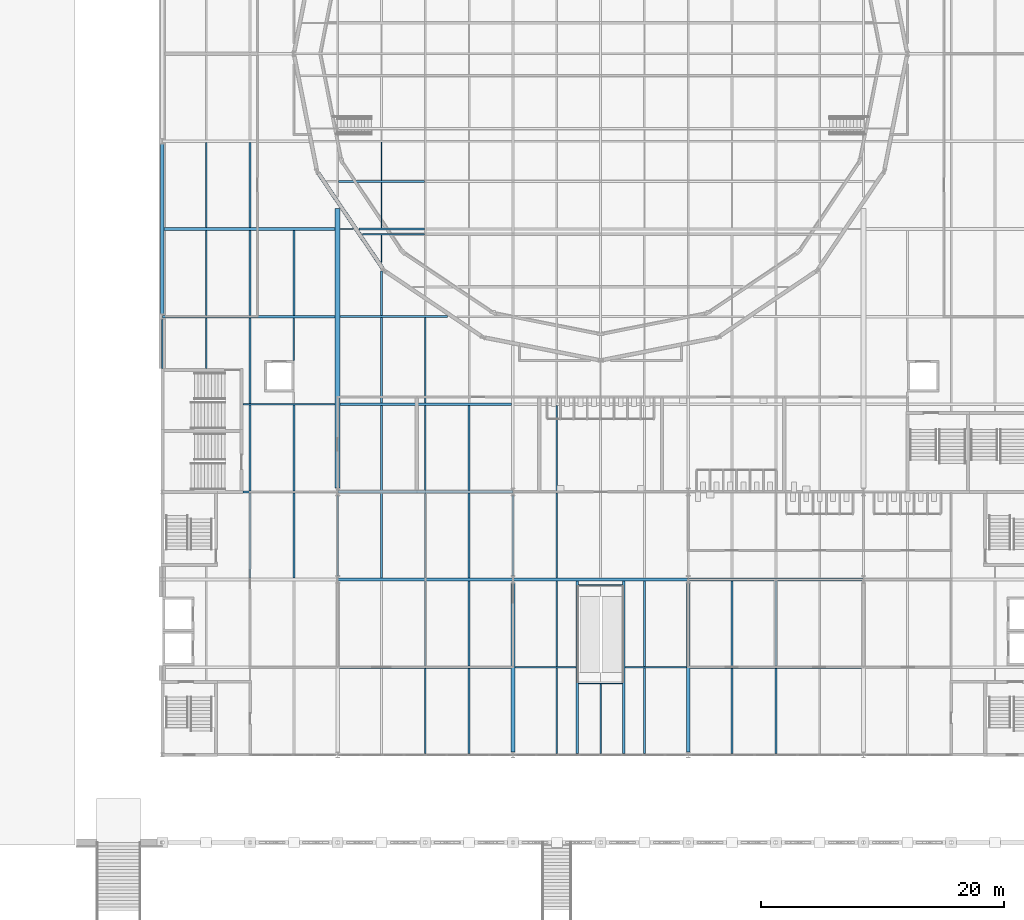
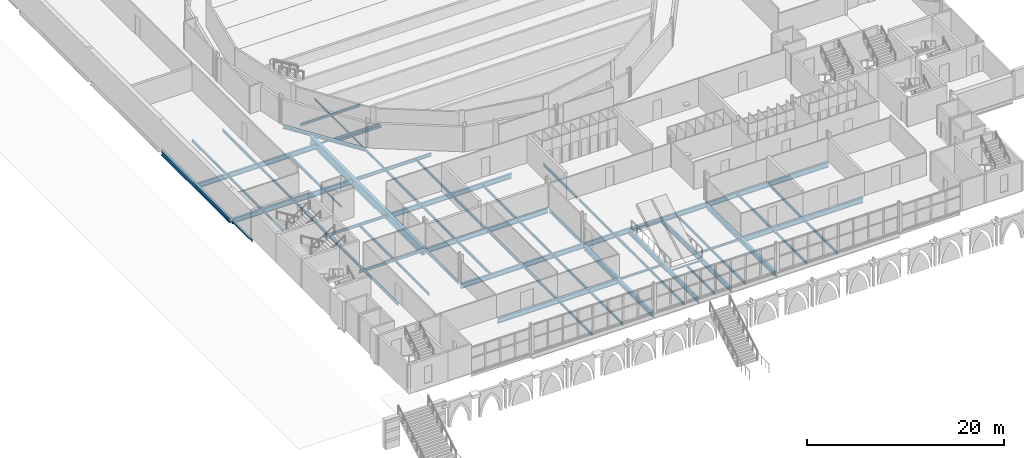
# One storey, part 29 of 90: 69 beams.
"""IFC4 building model written with IfcOpenShell, lengths in metres."""

from ifc_helpers import new_model, si_unit, direction, frame, origin, origin_2d, place, context, subcontext, project, spatial, i_section, extrude, material, material_profile, profile_set, type_object, element, save


model = new_model("IFC4")

# Units and contexts
model_context = context("Model", 3, precision=1e-05, world=origin(), true_north=direction((0.0, 1.0)))
body_context = subcontext(model_context, "Body", "Model", "MODEL_VIEW")
ifc_project = project(units=[si_unit("LENGTHUNIT", "METRE"), si_unit("AREAUNIT", "SQUARE_METRE"), si_unit("VOLUMEUNIT", "CUBIC_METRE"), si_unit("PLANEANGLEUNIT", "RADIAN"), si_unit("MASSUNIT", "GRAM", prefix="KILO")], contexts=[model_context])

# Site, building, storey
site_placement = place(None, origin())
site = spatial("IfcSite", under=ifc_project, at=site_placement, CompositionType="ELEMENT")
building_placement = place(site_placement, origin())
building = spatial("IfcBuilding", under=site, at=building_placement, Name="Kupolbacken Congress Centre", CompositionType="ELEMENT")
storey_placement = place(building_placement, frame((0.0, 0.0, 3.60009765625)))
storey = spatial("IfcBuildingStorey", under=building, at=storey_placement, Name="L01", CompositionType="ELEMENT", Elevation=3.60009765625)

# Beams
ifc_material_1 = material(Name="Steel S355", Category="steel")
ifc_material_profile_1 = material_profile(ifc_material_1, i_section(OverallWidth=0.10009765625, OverallDepth=0.199951171875, WebThickness=0.005615234375, FlangeThickness=0.008544921875, FilletRadius=0.011962890625, at=origin_2d()), Name="IPE 200")
ifc_profile_set_1 = profile_set([ifc_material_profile_1], Name="Steel S355")
beam_type_1 = type_object("IfcBeamType", Name="B01 beam IPE 200", PredefinedType="BEAM", material=ifc_profile_set_1)
for number, where, z_axis, x_axis, name in (
    (1, (41.39990234375, 34.65234375, -0.280029296875), (1.0, 0.0, 0.0), (0.0, 1.0, 0.0), "S/floor/F/L01/T032"),
    (2, (41.39990234375, 42.747802734375, -0.280029296875), (1.0, 0.0, 0.0), (0.0, 1.0, 0.0), "S/floor/F/L01/T033"),
):
    element("IfcBeam", number, at=place(storey_placement, frame(where, z_axis=z_axis, x_axis=x_axis)), inside=storey, type_object=beam_type_1, Name=name, PredefinedType="BEAM", context=body_context, shape_type="SweptSolid", body=[
        extrude(i_section(OverallWidth=0.10009765625, OverallDepth=0.199951171875, WebThickness=0.005615234375, FlangeThickness=0.008544921875, FilletRadius=0.011962890625, at=origin_2d()), origin(), (0.0, 0.0, 1.0), 3.60009765625),
    ])
beam_1_placement = place(storey_placement, frame((21.800048828125, 72.0, -0.2900390625), z_axis=(1.0, 0.0, 0.0), x_axis=(0.0, 1.0, 0.0)))
element("IfcBeam", 3, at=beam_1_placement, inside=storey, type_object=beam_type_1, Name="S/floor/P/L01/R048", PredefinedType="BEAM", context=body_context, shape_type="SweptSolid", body=[
    extrude(i_section(OverallWidth=0.10009765625, OverallDepth=0.199951171875, WebThickness=0.005615234375, FlangeThickness=0.008544921875, FilletRadius=0.011962890625, at=origin_2d()), origin(), (0.0, 0.0, 1.0), 1.0908203125),
])
beam_2_placement = place(storey_placement, frame((18.0, 61.199951171875, -0.2900390625), z_axis=(0.0, 1.0, 0.0), x_axis=(-1.0, 0.0, 0.0)))
element("IfcBeam", 4, at=beam_2_placement, inside=storey, type_object=beam_type_1, Name="S/floor/P/L01/S163", PredefinedType="BEAM", context=body_context, shape_type="SweptSolid", body=[
    extrude(i_section(OverallWidth=0.10009765625, OverallDepth=0.199951171875, WebThickness=0.005615234375, FlangeThickness=0.008544921875, FilletRadius=0.011962890625, at=origin_2d()), origin(), (0.0, 0.0, 1.0), 3.489990234375),
])
beam_3_placement = place(storey_placement, frame((25.199951171875, 69.238525390625, -0.2900390625), z_axis=(0.0, 1.0, 0.0), x_axis=(-1.0, 0.0, 0.0)))
element("IfcBeam", 5, at=beam_3_placement, inside=storey, type_object=beam_type_1, Name="S/floor/PL/L01/S104", PredefinedType="BEAM", context=body_context, shape_type="SweptSolid", body=[
    extrude(i_section(OverallWidth=0.10009765625, OverallDepth=0.199951171875, WebThickness=0.005615234375, FlangeThickness=0.008544921875, FilletRadius=0.011962890625, at=origin_2d()), origin(), (0.0, 0.0, 1.0), 2.26904296875),
])
beam_4_placement = place(storey_placement, frame((25.199951171875, 72.0673828125, -0.2900390625), z_axis=(0.0, 1.0, 0.0), x_axis=(-1.0, 0.0, 0.0)))
element("IfcBeam", 6, at=beam_4_placement, inside=storey, type_object=beam_type_1, Name="S/floor/PL/L01/S105", PredefinedType="BEAM", context=body_context, shape_type="SweptSolid", body=[
    extrude(i_section(OverallWidth=0.10009765625, OverallDepth=0.199951171875, WebThickness=0.005615234375, FlangeThickness=0.008544921875, FilletRadius=0.011962890625, at=origin_2d()), origin(), (0.0, 0.0, 1.0), 3.76953125),
])
beam_5_placement = place(storey_placement, frame((25.199951171875, 75.987060546875, -0.2900390625), z_axis=(0.0, 1.0, 0.0), x_axis=(-1.0, 0.0, 0.0)))
element("IfcBeam", 7, at=beam_5_placement, inside=storey, type_object=beam_type_1, Name="S/floor/PL/L01/S106", PredefinedType="BEAM", context=body_context, shape_type="SweptSolid", body=[
    extrude(i_section(OverallWidth=0.10009765625, OverallDepth=0.199951171875, WebThickness=0.005615234375, FlangeThickness=0.008544921875, FilletRadius=0.011962890625, at=origin_2d()), origin(), (0.0, 0.0, 1.0), 3.137939453125),
])
ifc_material_2 = material(Name="Steel S355", Category="steel")
ifc_material_profile_2 = material_profile(ifc_material_2, i_section(OverallWidth=0.135009765625, OverallDepth=0.27001953125, WebThickness=0.006591796875, FlangeThickness=0.01025390625, FilletRadius=0.014892578125, at=origin_2d()), Name="IPE 270")
ifc_profile_set_2 = profile_set([ifc_material_profile_2], Name="Steel S355")
beam_type_2 = type_object("IfcBeamType", Name="B03 beam IPE 270", PredefinedType="BEAM", material=ifc_profile_set_2)
for number, where, z_axis, x_axis, name in (
    (8, (36.14990234375, 36.0, -0.315185546875), (1.0, 0.0, 0.0), (0.0, 1.0, 0.0), "S/floor/F/L01/R036"),
    (9, (45.219970703125, 36.0, -0.315185546875), (1.0, 0.0, 0.0), (0.0, 1.0, 0.0), "S/floor/F/L01/R037"),
):
    element("IfcBeam", number, at=place(storey_placement, frame(where, z_axis=z_axis, x_axis=x_axis)), inside=storey, type_object=beam_type_2, Name=name, PredefinedType="BEAM", context=body_context, shape_type="SweptSolid", body=[
        extrude(i_section(OverallWidth=0.135009765625, OverallDepth=0.27001953125, WebThickness=0.006591796875, FlangeThickness=0.01025390625, FilletRadius=0.014892578125, at=origin_2d()), origin(), (0.0, 0.0, 1.0), 5.030029296875),
    ])
beam_6_placement = place(storey_placement, frame((43.199951171875, 28.909912109375, -0.315185546875), z_axis=(0.0, 1.0, 0.0), x_axis=(-1.0, 0.0, 0.0)))
element("IfcBeam", 10, at=beam_6_placement, inside=storey, type_object=beam_type_2, Name="S/floor/F/L01/S061", PredefinedType="BEAM", context=body_context, shape_type="SweptSolid", body=[
    extrude(i_section(OverallWidth=0.135009765625, OverallDepth=0.27001953125, WebThickness=0.006591796875, FlangeThickness=0.01025390625, FilletRadius=0.014892578125, at=origin_2d()), origin(), (0.0, 0.0, 1.0), 5.6923828125),
])
beam_7_placement = place(storey_placement, frame((7.199951171875, 60.52490234375, -0.3251953125), z_axis=(0.0, 1.0, 0.0), x_axis=(-1.0, 0.0, 0.0)))
element("IfcBeam", 11, at=beam_7_placement, inside=storey, type_object=beam_type_2, Name="S/floor/P/L01/G017", PredefinedType="BEAM", context=body_context, shape_type="SweptSolid", body=[
    extrude(i_section(OverallWidth=0.135009765625, OverallDepth=0.27001953125, WebThickness=0.006591796875, FlangeThickness=0.01025390625, FilletRadius=0.014892578125, at=origin_2d()), origin(), (0.0, 0.0, 1.0), 4.050048828125),
])
beam_8_placement = place(storey_placement, frame((10.800048828125, 60.52490234375, -0.3251953125), z_axis=(0.0, 1.0, 0.0), x_axis=(-1.0, 0.0, 0.0)))
element("IfcBeam", 12, at=beam_8_placement, inside=storey, type_object=beam_type_2, Name="S/floor/P/L01/S076", PredefinedType="BEAM", context=body_context, shape_type="SweptSolid", body=[
    extrude(i_section(OverallWidth=0.135009765625, OverallDepth=0.27001953125, WebThickness=0.006591796875, FlangeThickness=0.01025390625, FilletRadius=0.014892578125, at=origin_2d()), origin(), (0.0, 0.0, 1.0), 4.1650390625),
])
beam_9_placement = place(storey_placement, frame((25.199951171875, 64.889892578125, -0.3251953125), z_axis=(0.0, 1.0, 0.0), x_axis=(-1.0, 0.0, 0.0)))
element("IfcBeam", 13, at=beam_9_placement, inside=storey, type_object=beam_type_2, Name="S/floor/P/L01/S098", PredefinedType="BEAM", context=body_context, shape_type="SweptSolid", body=[
    extrude(i_section(OverallWidth=0.135009765625, OverallDepth=0.27001953125, WebThickness=0.006591796875, FlangeThickness=0.01025390625, FilletRadius=0.014892578125, at=origin_2d()), origin(), (0.0, 0.0, 1.0), 3.63818359375),
])
beam_10_placement = place(storey_placement, frame((23.33203125, 72.0, -0.3251953125), z_axis=(1.0, 0.0, 0.0), x_axis=(0.0, 1.0, 0.0)))
element("IfcBeam", 14, at=beam_10_placement, inside=storey, type_object=beam_type_2, Name="S/floor/PL/L01/R012", PredefinedType="BEAM", context=body_context, shape_type="SweptSolid", body=[
    extrude(i_section(OverallWidth=0.135009765625, OverallDepth=0.27001953125, WebThickness=0.006591796875, FlangeThickness=0.01025390625, FilletRadius=0.014892578125, at=origin_2d()), origin(), (0.0, 0.0, 1.0), 5.39306640625),
])
beam_11_placement = place(storey_placement, frame((23.618896484375, 71.574951171875, -0.3251953125), z_axis=(1.0, 0.0, 0.0), x_axis=(0.0, 1.0, 0.0)))
element("IfcBeam", 15, at=beam_11_placement, inside=storey, type_object=beam_type_2, Name="S/floor/PL/L01/R092", PredefinedType="BEAM", context=body_context, shape_type="SweptSolid", body=[
    extrude(i_section(OverallWidth=0.135009765625, OverallDepth=0.27001953125, WebThickness=0.006591796875, FlangeThickness=0.01025390625, FilletRadius=0.014892578125, at=origin_2d()), origin(), (0.0, 0.0, 1.0), 5.106201171875),
])
ifc_material_3 = material(Name="Steel S355", Category="steel")
ifc_material_profile_3 = material_profile(ifc_material_3, i_section(OverallWidth=0.14990234375, OverallDepth=0.300048828125, WebThickness=0.007080078125, FlangeThickness=0.0107421875, FilletRadius=0.014892578125, at=origin_2d()), Name="IPE 300")
ifc_profile_set_3 = profile_set([ifc_material_profile_3], Name="Steel S355")
beam_type_3 = type_object("IfcBeamType", Name="B04 beam IPE 300", PredefinedType="BEAM", material=ifc_profile_set_3)
for number, where, z_axis, x_axis, name in (
    (16, (21.60009765625, 43.5, -0.330078125), (0.0, 1.0, 0.0), (-1.0, 0.0, 0.0), "S/floor/F/L01/G005"),
    (17, (36.0, 43.5, -0.330078125), (0.0, 1.0, 0.0), (-1.0, 0.0, 0.0), "S/floor/F/L01/G007"),
):
    element("IfcBeam", number, at=place(storey_placement, frame(where, z_axis=z_axis, x_axis=x_axis)), inside=storey, type_object=beam_type_3, Name=name, PredefinedType="BEAM", context=body_context, shape_type="SweptSolid", body=[
        extrude(i_section(OverallWidth=0.14990234375, OverallDepth=0.300048828125, WebThickness=0.007080078125, FlangeThickness=0.0107421875, FilletRadius=0.014892578125, at=origin_2d()), origin(), (0.0, 0.0, 1.0), 6.60009765625),
    ])
for number, where, z_axis, x_axis, name in (
    (18, (14.39990234375, 43.31005859375, -0.330078125), (0.0, 1.0, 0.0), (-1.0, 0.0, 0.0), "S/floor/F/L01/S045"),
    (19, (18.0, 43.31005859375, -0.330078125), (0.0, 1.0, 0.0), (-1.0, 0.0, 0.0), "S/floor/F/L01/S048"),
):
    element("IfcBeam", number, at=place(storey_placement, frame(where, z_axis=z_axis, x_axis=x_axis)), inside=storey, type_object=beam_type_3, Name=name, PredefinedType="BEAM", context=body_context, shape_type="SweptSolid", body=[
        extrude(i_section(OverallWidth=0.14990234375, OverallDepth=0.300048828125, WebThickness=0.007080078125, FlangeThickness=0.0107421875, FilletRadius=0.014892578125, at=origin_2d()), origin(), (0.0, 0.0, 1.0), 7.010009765625),
    ])
for number, where, z_axis, x_axis, name in (
    (20, (25.199951171875, 43.31005859375, -0.330078125), (0.0, 1.0, 0.0), (-1.0, 0.0, 0.0), "S/floor/F/L01/S051"),
    (21, (28.800048828125, 28.909912109375, -0.330078125), (0.0, 1.0, 0.0), (-1.0, 0.0, 0.0), "S/floor/F/L01/S052"),
    (22, (28.800048828125, 36.110107421875, -0.330078125), (0.0, 1.0, 0.0), (-1.0, 0.0, 0.0), "S/floor/F/L01/S053"),
    (23, (28.800048828125, 43.31005859375, -0.330078125), (0.0, 1.0, 0.0), (-1.0, 0.0, 0.0), "S/floor/F/L01/S054"),
    (24, (32.39990234375, 28.909912109375, -0.330078125), (0.0, 1.0, 0.0), (-1.0, 0.0, 0.0), "S/floor/F/L01/S055"),
    (25, (32.39990234375, 36.110107421875, -0.330078125), (0.0, 1.0, 0.0), (-1.0, 0.0, 0.0), "S/floor/F/L01/S056"),
    (26, (32.39990234375, 43.31005859375, -0.330078125), (0.0, 1.0, 0.0), (-1.0, 0.0, 0.0), "S/floor/F/L01/S057"),
):
    element("IfcBeam", number, at=place(storey_placement, frame(where, z_axis=z_axis, x_axis=x_axis)), inside=storey, type_object=beam_type_3, Name=name, PredefinedType="BEAM", context=body_context, shape_type="SweptSolid", body=[
        extrude(i_section(OverallWidth=0.14990234375, OverallDepth=0.300048828125, WebThickness=0.007080078125, FlangeThickness=0.0107421875, FilletRadius=0.014892578125, at=origin_2d()), origin(), (0.0, 0.0, 1.0), 6.97998046875),
    ])
for number, where, z_axis, x_axis, name in (
    (27, (39.60009765625, 28.909912109375, -0.330078125), (0.0, 1.0, 0.0), (-1.0, 0.0, 0.0), "S/floor/F/L01/S058"),
    (28, (39.60009765625, 36.0673828125, -0.330078125), (0.0, 1.0, 0.0), (-1.0, 0.0, 0.0), "S/floor/F/L01/S059"),
):
    element("IfcBeam", number, at=place(storey_placement, frame(where, z_axis=z_axis, x_axis=x_axis)), inside=storey, type_object=beam_type_3, Name=name, PredefinedType="BEAM", context=body_context, shape_type="SweptSolid", body=[
        extrude(i_section(OverallWidth=0.14990234375, OverallDepth=0.300048828125, WebThickness=0.007080078125, FlangeThickness=0.0107421875, FilletRadius=0.014892578125, at=origin_2d()), origin(), (0.0, 0.0, 1.0), 7.022705078125),
    ])
beam_12_placement = place(storey_placement, frame((39.60009765625, 43.31005859375, -0.330078125), z_axis=(0.0, 1.0, 0.0), x_axis=(-1.0, 0.0, 0.0)))
element("IfcBeam", 29, at=beam_12_placement, inside=storey, type_object=beam_type_3, Name="S/floor/F/L01/S060", PredefinedType="BEAM", context=body_context, shape_type="SweptSolid", body=[
    extrude(i_section(OverallWidth=0.14990234375, OverallDepth=0.300048828125, WebThickness=0.007080078125, FlangeThickness=0.0107421875, FilletRadius=0.014892578125, at=origin_2d()), origin(), (0.0, 0.0, 1.0), 6.97998046875),
])
for number, where, z_axis, x_axis, name in (
    (30, (46.800048828125, 28.909912109375, -0.330078125), (0.0, 1.0, 0.0), (-1.0, 0.0, 0.0), "S/floor/F/L01/S063"),
    (31, (46.800048828125, 36.0673828125, -0.330078125), (0.0, 1.0, 0.0), (-1.0, 0.0, 0.0), "S/floor/F/L01/S064"),
):
    element("IfcBeam", number, at=place(storey_placement, frame(where, z_axis=z_axis, x_axis=x_axis)), inside=storey, type_object=beam_type_3, Name=name, PredefinedType="BEAM", context=body_context, shape_type="SweptSolid", body=[
        extrude(i_section(OverallWidth=0.14990234375, OverallDepth=0.300048828125, WebThickness=0.007080078125, FlangeThickness=0.0107421875, FilletRadius=0.014892578125, at=origin_2d()), origin(), (0.0, 0.0, 1.0), 7.022705078125),
    ])
for number, where, z_axis, x_axis, name in (
    (32, (54.0, 28.909912109375, -0.330078125), (0.0, 1.0, 0.0), (-1.0, 0.0, 0.0), "S/floor/F/L01/S066"),
    (33, (54.0, 36.110107421875, -0.330078125), (0.0, 1.0, 0.0), (-1.0, 0.0, 0.0), "S/floor/F/L01/S067"),
    (34, (57.60009765625, 28.909912109375, -0.330078125), (0.0, 1.0, 0.0), (-1.0, 0.0, 0.0), "S/floor/F/L01/S069"),
    (35, (57.60009765625, 36.110107421875, -0.330078125), (0.0, 1.0, 0.0), (-1.0, 0.0, 0.0), "S/floor/F/L01/S070"),
    (36, (10.800048828125, 64.909912109375, -0.340087890625), (0.0, 1.0, 0.0), (-1.0, 0.0, 0.0), "S/floor/P/L01/S077"),
):
    element("IfcBeam", number, at=place(storey_placement, frame(where, z_axis=z_axis, x_axis=x_axis)), inside=storey, type_object=beam_type_3, Name=name, PredefinedType="BEAM", context=body_context, shape_type="SweptSolid", body=[
        extrude(i_section(OverallWidth=0.14990234375, OverallDepth=0.300048828125, WebThickness=0.007080078125, FlangeThickness=0.0107421875, FilletRadius=0.014892578125, at=origin_2d()), origin(), (0.0, 0.0, 1.0), 6.97998046875),
    ])
beam_13_placement = place(storey_placement, frame((10.800048828125, 72.110107421875, -0.340087890625), z_axis=(0.0, 1.0, 0.0), x_axis=(-1.0, 0.0, 0.0)))
element("IfcBeam", 37, at=beam_13_placement, inside=storey, type_object=beam_type_3, Name="S/floor/P/L01/S078", PredefinedType="BEAM", context=body_context, shape_type="SweptSolid", body=[
    extrude(i_section(OverallWidth=0.14990234375, OverallDepth=0.300048828125, WebThickness=0.007080078125, FlangeThickness=0.0107421875, FilletRadius=0.014892578125, at=origin_2d()), origin(), (0.0, 0.0, 1.0), 6.98486328125),
])
beam_14_placement = place(storey_placement, frame((14.39990234375, 50.48095703125, -0.340087890625), z_axis=(0.0, 1.0, 0.0), x_axis=(-1.0, 0.0, 0.0)))
element("IfcBeam", 38, at=beam_14_placement, inside=storey, type_object=beam_type_3, Name="S/floor/P/L01/S085", PredefinedType="BEAM", context=body_context, shape_type="SweptSolid", body=[
    extrude(i_section(OverallWidth=0.14990234375, OverallDepth=0.300048828125, WebThickness=0.007080078125, FlangeThickness=0.0107421875, FilletRadius=0.014892578125, at=origin_2d()), origin(), (0.0, 0.0, 1.0), 7.0390625),
])
beam_15_placement = place(storey_placement, frame((14.39990234375, 57.679931640625, -0.340087890625), z_axis=(0.0, 1.0, 0.0), x_axis=(-1.0, 0.0, 0.0)))
element("IfcBeam", 39, at=beam_15_placement, inside=storey, type_object=beam_type_3, Name="S/floor/P/L01/S086", PredefinedType="BEAM", context=body_context, shape_type="SweptSolid", body=[
    extrude(i_section(OverallWidth=0.14990234375, OverallDepth=0.300048828125, WebThickness=0.007080078125, FlangeThickness=0.0107421875, FilletRadius=0.014892578125, at=origin_2d()), origin(), (0.0, 0.0, 1.0), 7.010009765625),
])
beam_16_placement = place(storey_placement, frame((14.39990234375, 64.909912109375, -0.340087890625), z_axis=(0.0, 1.0, 0.0), x_axis=(-1.0, 0.0, 0.0)))
element("IfcBeam", 40, at=beam_16_placement, inside=storey, type_object=beam_type_3, Name="S/floor/P/L01/S087", PredefinedType="BEAM", context=body_context, shape_type="SweptSolid", body=[
    extrude(i_section(OverallWidth=0.14990234375, OverallDepth=0.300048828125, WebThickness=0.007080078125, FlangeThickness=0.0107421875, FilletRadius=0.014892578125, at=origin_2d()), origin(), (0.0, 0.0, 1.0), 6.97998046875),
])
beam_17_placement = place(storey_placement, frame((14.39990234375, 72.110107421875, -0.340087890625), z_axis=(0.0, 1.0, 0.0), x_axis=(-1.0, 0.0, 0.0)))
element("IfcBeam", 41, at=beam_17_placement, inside=storey, type_object=beam_type_3, Name="S/floor/P/L01/S088", PredefinedType="BEAM", context=body_context, shape_type="SweptSolid", body=[
    extrude(i_section(OverallWidth=0.14990234375, OverallDepth=0.300048828125, WebThickness=0.007080078125, FlangeThickness=0.0107421875, FilletRadius=0.014892578125, at=origin_2d()), origin(), (0.0, 0.0, 1.0), 6.98486328125),
])
beam_18_placement = place(storey_placement, frame((25.199951171875, 50.510009765625, -0.340087890625), z_axis=(0.0, 1.0, 0.0), x_axis=(-1.0, 0.0, 0.0)))
element("IfcBeam", 42, at=beam_18_placement, inside=storey, type_object=beam_type_3, Name="S/floor/P/L01/S096", PredefinedType="BEAM", context=body_context, shape_type="SweptSolid", body=[
    extrude(i_section(OverallWidth=0.14990234375, OverallDepth=0.300048828125, WebThickness=0.007080078125, FlangeThickness=0.0107421875, FilletRadius=0.014892578125, at=origin_2d()), origin(), (0.0, 0.0, 1.0), 6.97998046875),
])
beam_19_placement = place(storey_placement, frame((25.199951171875, 57.7099609375, -0.340087890625), z_axis=(0.0, 1.0, 0.0), x_axis=(-1.0, 0.0, 0.0)))
element("IfcBeam", 43, at=beam_19_placement, inside=storey, type_object=beam_type_3, Name="S/floor/P/L01/S097", PredefinedType="BEAM", context=body_context, shape_type="SweptSolid", body=[
    extrude(i_section(OverallWidth=0.14990234375, OverallDepth=0.300048828125, WebThickness=0.007080078125, FlangeThickness=0.0107421875, FilletRadius=0.014892578125, at=origin_2d()), origin(), (0.0, 0.0, 1.0), 7.0),
])
beam_20_placement = place(storey_placement, frame((28.800048828125, 50.510009765625, -0.340087890625), z_axis=(0.0, 1.0, 0.0), x_axis=(-1.0, 0.0, 0.0)))
element("IfcBeam", 44, at=beam_20_placement, inside=storey, type_object=beam_type_3, Name="S/floor/P/L01/S102", PredefinedType="BEAM", context=body_context, shape_type="SweptSolid", body=[
    extrude(i_section(OverallWidth=0.14990234375, OverallDepth=0.300048828125, WebThickness=0.007080078125, FlangeThickness=0.0107421875, FilletRadius=0.014892578125, at=origin_2d()), origin(), (0.0, 0.0, 1.0), 6.97998046875),
])
beam_21_placement = place(storey_placement, frame((28.800048828125, 57.7099609375, -0.340087890625), z_axis=(0.0, 1.0, 0.0), x_axis=(-1.0, 0.0, 0.0)))
element("IfcBeam", 45, at=beam_21_placement, inside=storey, type_object=beam_type_3, Name="S/floor/P/L01/S103", PredefinedType="BEAM", context=body_context, shape_type="SweptSolid", body=[
    extrude(i_section(OverallWidth=0.14990234375, OverallDepth=0.300048828125, WebThickness=0.007080078125, FlangeThickness=0.0107421875, FilletRadius=0.014892578125, at=origin_2d()), origin(), (0.0, 0.0, 1.0), 7.0),
])
for number, where, z_axis, x_axis, name in (
    (46, (32.39990234375, 50.510009765625, -0.340087890625), (0.0, 1.0, 0.0), (-1.0, 0.0, 0.0), "S/floor/P/L01/S108"),
    (47, (39.60009765625, 50.510009765625, -0.340087890625), (0.0, 1.0, 0.0), (-1.0, 0.0, 0.0), "S/floor/P/L01/S112"),
):
    element("IfcBeam", number, at=place(storey_placement, frame(where, z_axis=z_axis, x_axis=x_axis)), inside=storey, type_object=beam_type_3, Name=name, PredefinedType="BEAM", context=body_context, shape_type="SweptSolid", body=[
        extrude(i_section(OverallWidth=0.14990234375, OverallDepth=0.300048828125, WebThickness=0.007080078125, FlangeThickness=0.0107421875, FilletRadius=0.014892578125, at=origin_2d()), origin(), (0.0, 0.0, 1.0), 6.97998046875),
    ])
beam_22_placement = place(storey_placement, frame((18.0, 50.48095703125, -0.340087890625), z_axis=(0.0, 1.0, 0.0), x_axis=(-1.0, 0.0, 0.0)))
element("IfcBeam", 48, at=beam_22_placement, inside=storey, type_object=beam_type_3, Name="S/floor/P/L01/S161", PredefinedType="BEAM", context=body_context, shape_type="SweptSolid", body=[
    extrude(i_section(OverallWidth=0.14990234375, OverallDepth=0.300048828125, WebThickness=0.007080078125, FlangeThickness=0.0107421875, FilletRadius=0.014892578125, at=origin_2d()), origin(), (0.0, 0.0, 1.0), 7.0390625),
])
beam_23_placement = place(storey_placement, frame((18.0, 64.909912109375, -0.340087890625), z_axis=(0.0, 1.0, 0.0), x_axis=(-1.0, 0.0, 0.0)))
element("IfcBeam", 49, at=beam_23_placement, inside=storey, type_object=beam_type_3, Name="S/floor/P/L01/S164", PredefinedType="BEAM", context=body_context, shape_type="SweptSolid", body=[
    extrude(i_section(OverallWidth=0.14990234375, OverallDepth=0.300048828125, WebThickness=0.007080078125, FlangeThickness=0.0107421875, FilletRadius=0.014892578125, at=origin_2d()), origin(), (0.0, 0.0, 1.0), 6.97998046875),
])
beam_24_placement = place(storey_placement, frame((21.675048828125, 75.912109375, -0.340087890625), z_axis=(1.0, 0.0, 0.0), x_axis=(0.0, 1.0, 0.0)))
element("IfcBeam", 50, at=beam_24_placement, inside=storey, type_object=beam_type_3, Name="S/floor/PL/L01/R085", PredefinedType="BEAM", context=body_context, shape_type="SweptSolid", body=[
    extrude(i_section(OverallWidth=0.14990234375, OverallDepth=0.300048828125, WebThickness=0.007080078125, FlangeThickness=0.0107421875, FilletRadius=0.014892578125, at=origin_2d()), origin(), (0.0, 0.0, 1.0), 7.050048828125),
])
ifc_material_4 = material(Name="Steel S355", Category="steel")
ifc_material_profile_4 = material_profile(ifc_material_4, i_section(OverallWidth=0.159912109375, OverallDepth=0.330078125, WebThickness=0.007568359375, FlangeThickness=0.011474609375, FilletRadius=0.01806640625, at=origin_2d()), Name="IPE 330")
ifc_profile_set_4 = profile_set([ifc_material_profile_4], Name="Steel S355")
beam_type_4 = type_object("IfcBeamType", Name="B05 beam IPE 330", PredefinedType="BEAM", material=ifc_profile_set_4)
beam_25_placement = place(storey_placement, frame((13.824951171875, 50.39990234375, -0.34521484375), z_axis=(1.0, 0.0, 0.0), x_axis=(0.0, 1.0, 0.0)))
element("IfcBeam", 51, at=beam_25_placement, inside=storey, type_object=beam_type_4, Name="S/floor/F/L01/R025", PredefinedType="BEAM", context=body_context, shape_type="SweptSolid", body=[
    extrude(i_section(OverallWidth=0.159912109375, OverallDepth=0.330078125, WebThickness=0.007568359375, FlangeThickness=0.011474609375, FilletRadius=0.01806640625, at=origin_2d()), origin(), (0.0, 0.0, 1.0), 7.767333984375),
])
beam_26_placement = place(storey_placement, frame((13.824951171875, 57.60009765625, -0.35498046875), z_axis=(1.0, 0.0, 0.0), x_axis=(0.0, 1.0, 0.0)))
element("IfcBeam", 52, at=beam_26_placement, inside=storey, type_object=beam_type_4, Name="S/floor/P/L01/R038", PredefinedType="BEAM", context=body_context, shape_type="SweptSolid", body=[
    extrude(i_section(OverallWidth=0.159912109375, OverallDepth=0.330078125, WebThickness=0.007568359375, FlangeThickness=0.011474609375, FilletRadius=0.01806640625, at=origin_2d()), origin(), (0.0, 0.0, 1.0), 7.574951171875),
])
ifc_material_5 = material(Name="Steel S355", Category="steel")
ifc_material_profile_5 = material_profile(ifc_material_5, i_section(OverallWidth=0.179931640625, OverallDepth=0.39990234375, WebThickness=0.008544921875, FlangeThickness=0.013427734375, FilletRadius=0.02099609375, at=origin_2d()), Name="IPE 400")
ifc_profile_set_5 = profile_set([ifc_material_profile_5], Name="Steel S355")
beam_type_5 = type_object("IfcBeamType", Name="B07 beam IPE 400", PredefinedType="BEAM", material=ifc_profile_set_5)
beam_27_placement = place(storey_placement, frame((21.800048828125, 64.800048828125, -0.39013671875), z_axis=(1.0, 0.0, 0.0), x_axis=(0.0, 1.0, 0.0)))
element("IfcBeam", 53, at=beam_27_placement, inside=storey, type_object=beam_type_5, Name="S/floor/P/L01/R044", PredefinedType="BEAM", context=body_context, shape_type="SweptSolid", body=[
    extrude(i_section(OverallWidth=0.179931640625, OverallDepth=0.39990234375, WebThickness=0.008544921875, FlangeThickness=0.013427734375, FilletRadius=0.02099609375, at=origin_2d()), origin(), (0.0, 0.0, 1.0), 8.829345703125),
])
ifc_material_6 = material(Name="Steel S355", Category="steel")
ifc_material_profile_6 = material_profile(ifc_material_6, i_section(OverallWidth=0.219970703125, OverallDepth=0.60009765625, WebThickness=0.011962890625, FlangeThickness=0.01904296875, FilletRadius=0.02392578125, at=origin_2d()), Name="IPE 600")
ifc_profile_set_6 = profile_set([ifc_material_profile_6], Name="Steel S355")
beam_type_6 = type_object("IfcBeamType", Name="B11 beam IPE 600", PredefinedType="BEAM", material=ifc_profile_set_6)
for number, where, z_axis, x_axis, name in (
    (54, (21.607666015625, 43.199951171875, -0.47998046875), (1.0, 0.0, 0.0), (0.0, 1.0, 0.0), "S/floor/F/L01/R021"),
    (55, (36.0078125, 43.199951171875, -0.47998046875), (1.0, 0.0, 0.0), (0.0, 1.0, 0.0), "S/floor/F/L01/R022"),
    (56, (50.40771484375, 43.199951171875, -0.47998046875), (1.0, 0.0, 0.0), (0.0, 1.0, 0.0), "S/floor/F/L01/R023"),
    (57, (21.607666015625, 50.39990234375, -0.47998046875), (1.0, 0.0, 0.0), (0.0, 1.0, 0.0), "S/floor/F/L01/R026"),
):
    element("IfcBeam", number, at=place(storey_placement, frame(where, z_axis=z_axis, x_axis=x_axis)), inside=storey, type_object=beam_type_6, Name=name, PredefinedType="BEAM", context=body_context, shape_type="SweptSolid", body=[
        extrude(i_section(OverallWidth=0.219970703125, OverallDepth=0.60009765625, WebThickness=0.011962890625, FlangeThickness=0.01904296875, FilletRadius=0.02392578125, at=origin_2d()), origin(), (0.0, 0.0, 1.0), 14.384521484375),
    ])
for number, where, z_axis, x_axis, name in (
    (58, (41.2900390625, 28.909912109375, -0.47998046875), (0.0, 1.0, 0.0), (-1.0, 0.0, 0.0), "S/floor/F/L01/T030"),
    (59, (45.110107421875, 28.909912109375, -0.47998046875), (0.0, 1.0, 0.0), (-1.0, 0.0, 0.0), "S/floor/F/L01/T031"),
):
    element("IfcBeam", number, at=place(storey_placement, frame(where, z_axis=z_axis, x_axis=x_axis)), inside=storey, type_object=beam_type_6, Name=name, PredefinedType="BEAM", context=body_context, shape_type="SweptSolid", body=[
        extrude(i_section(OverallWidth=0.219970703125, OverallDepth=0.60009765625, WebThickness=0.011962890625, FlangeThickness=0.01904296875, FilletRadius=0.02392578125, at=origin_2d()), origin(), (0.0, 0.0, 1.0), 14.18017578125),
    ])
beam_28_placement = place(storey_placement, frame((21.75, 36.0, -0.47998046875), z_axis=(1.0, 0.0, 0.0), x_axis=(0.0, 1.0, 0.0)))
element("IfcBeam", 60, at=beam_28_placement, inside=storey, type_object=beam_type_6, Name="S/floor/F/L01/R035", PredefinedType="BEAM", context=body_context, shape_type="SweptSolid", body=[
    extrude(i_section(OverallWidth=0.219970703125, OverallDepth=0.60009765625, WebThickness=0.011962890625, FlangeThickness=0.01904296875, FilletRadius=0.02392578125, at=origin_2d()), origin(), (0.0, 0.0, 1.0), 14.10009765625),
])
beam_29_placement = place(storey_placement, frame((50.550048828125, 36.0, -0.47998046875), z_axis=(1.0, 0.0, 0.0), x_axis=(0.0, 1.0, 0.0)))
element("IfcBeam", 61, at=beam_29_placement, inside=storey, type_object=beam_type_6, Name="S/floor/F/L01/R038", PredefinedType="BEAM", context=body_context, shape_type="SweptSolid", body=[
    extrude(i_section(OverallWidth=0.219970703125, OverallDepth=0.60009765625, WebThickness=0.011962890625, FlangeThickness=0.01904296875, FilletRadius=0.02392578125, at=origin_2d()), origin(), (0.0, 0.0, 1.0), 14.099853515625),
])
beam_30_placement = place(storey_placement, frame((21.800048828125, 57.60009765625, -0.489990234375), z_axis=(1.0, 0.0, 0.0), x_axis=(0.0, 1.0, 0.0)))
element("IfcBeam", 62, at=beam_30_placement, inside=storey, type_object=beam_type_6, Name="S/floor/P/L01/R039", PredefinedType="BEAM", context=body_context, shape_type="SweptSolid", body=[
    extrude(i_section(OverallWidth=0.219970703125, OverallDepth=0.60009765625, WebThickness=0.011962890625, FlangeThickness=0.01904296875, FilletRadius=0.02392578125, at=origin_2d()), origin(), (0.0, 0.0, 1.0), 14.094970703125),
])
beam_31_placement = place(storey_placement, frame((7.20703125, 64.800048828125, -0.489990234375), z_axis=(1.0, 0.0, 0.0), x_axis=(0.0, 1.0, 0.0)))
element("IfcBeam", 63, at=beam_31_placement, inside=storey, type_object=beam_type_6, Name="S/floor/P/L01/R043", PredefinedType="BEAM", context=body_context, shape_type="SweptSolid", body=[
    extrude(i_section(OverallWidth=0.219970703125, OverallDepth=0.60009765625, WebThickness=0.011962890625, FlangeThickness=0.01904296875, FilletRadius=0.02392578125, at=origin_2d()), origin(), (0.0, 0.0, 1.0), 14.19287109375),
])
beam_32_placement = place(storey_placement, frame((7.35009765625, 72.0, -0.489990234375), z_axis=(1.0, 0.0, 0.0), x_axis=(0.0, 1.0, 0.0)))
element("IfcBeam", 64, at=beam_32_placement, inside=storey, type_object=beam_type_6, Name="S/floor/P/L01/R047", PredefinedType="BEAM", context=body_context, shape_type="SweptSolid", body=[
    extrude(i_section(OverallWidth=0.219970703125, OverallDepth=0.60009765625, WebThickness=0.011962890625, FlangeThickness=0.01904296875, FilletRadius=0.02392578125, at=origin_2d()), origin(), (0.0, 0.0, 1.0), 14.0498046875),
])
ifc_material_7 = material(Name="Steel S355", Category="steel")
ifc_material_profile_7 = material_profile(ifc_material_7, i_section(OverallWidth=0.300048828125, OverallDepth=0.35009765625, WebThickness=0.010009765625, FlangeThickness=0.017578125, FilletRadius=0.027099609375, at=origin_2d()), Name="HEA 360")
ifc_profile_set_7 = profile_set([ifc_material_profile_7], Name="Steel S355")
beam_type_7 = type_object("IfcBeamType", Name="B13 beam HEA 360", PredefinedType="BEAM", material=ifc_profile_set_7)
beam_33_placement = place(storey_placement, frame((20.01416015625, 76.580810546875, -0.364990234375), z_axis=(0.55939009895, -0.828904528397, 0.0), x_axis=(0.828904528397, 0.55939009895, 0.0)))
element("IfcBeam", 65, at=beam_33_placement, inside=storey, type_object=beam_type_7, Name="S/floor/P/L01/C010", PredefinedType="BEAM", context=body_context, shape_type="SweptSolid", body=[
    extrude(i_section(OverallWidth=0.300048828125, OverallDepth=0.35009765625, WebThickness=0.010009765625, FlangeThickness=0.017578125, FilletRadius=0.027099609375, at=origin_2d()), origin(), (0.0, 0.0, 1.0), 9.424560546875),
])
ifc_material_8 = material(Name="Steel S355", Category="steel")
ifc_material_profile_8 = material_profile(ifc_material_8, i_section(OverallWidth=0.300048828125, OverallDepth=0.60009765625, WebThickness=0.015380859375, FlangeThickness=0.030029296875, FilletRadius=0.027099609375, at=origin_2d()), Name="HEB 600")
ifc_profile_set_8 = profile_set([ifc_material_profile_8], Name="Steel S355")
beam_type_8 = type_object("IfcBeamType", Name="B15 beam HEB 600", PredefinedType="BEAM", material=ifc_profile_set_8)
for number, where, z_axis, x_axis, name in (
    (66, (36.0, 29.02490234375, -0.47998046875), (0.0, 1.0, 0.0), (-1.0, 0.0, 0.0), "S/floor/F/L01/G006"),
    (67, (50.39990234375, 29.02490234375, -0.47998046875), (0.0, 1.0, 0.0), (-1.0, 0.0, 0.0), "S/floor/F/L01/G008"),
):
    element("IfcBeam", number, at=place(storey_placement, frame(where, z_axis=z_axis, x_axis=x_axis)), inside=storey, type_object=beam_type_8, Name=name, PredefinedType="BEAM", context=body_context, shape_type="SweptSolid", body=[
        extrude(i_section(OverallWidth=0.300048828125, OverallDepth=0.60009765625, WebThickness=0.015380859375, FlangeThickness=0.030029296875, FilletRadius=0.027099609375, at=origin_2d()), origin(), (0.0, 0.0, 1.0), 13.875),
    ])
beam_34_placement = place(storey_placement, frame((7.199951171875, 65.02490234375, -0.489990234375), z_axis=(0.0, 1.0, 0.0), x_axis=(-1.0, 0.0, 0.0)))
element("IfcBeam", 68, at=beam_34_placement, inside=storey, type_object=beam_type_8, Name="S/floor/P/L01/G018", PredefinedType="BEAM", context=body_context, shape_type="SweptSolid", body=[
    extrude(i_section(OverallWidth=0.300048828125, OverallDepth=0.60009765625, WebThickness=0.015380859375, FlangeThickness=0.030029296875, FilletRadius=0.027099609375, at=origin_2d()), origin(), (0.0, 0.0, 1.0), 13.9501953125),
])
ifc_material_9 = material(Name="Steel S355", Category="steel")
ifc_material_profile_9 = material_profile(ifc_material_9, i_section(OverallWidth=0.39990234375, OverallDepth=1.0, WebThickness=0.02197265625, FlangeThickness=0.044921875, at=origin_2d()), Name="PG 1000 x 400")
ifc_profile_set_9 = profile_set([ifc_material_profile_9], Name="Steel S355")
beam_type_9 = type_object("IfcBeamType", Name="B23 beam PG 1000 x 400", PredefinedType="BEAM", material=ifc_profile_set_9)
beam_35_placement = place(storey_placement, frame((21.60009765625, 50.699951171875, -0.690185546875), z_axis=(0.0, 1.0, 0.0), x_axis=(-1.0, 0.0, 0.0)))
element("IfcBeam", 69, at=beam_35_placement, inside=storey, type_object=beam_type_9, Name="S/floor/P/L01/G022", PredefinedType="BEAM", context=body_context, shape_type="SweptSolid", body=[
    extrude(i_section(OverallWidth=0.39990234375, OverallDepth=1.0, WebThickness=0.02197265625, FlangeThickness=0.044921875, at=origin_2d()), origin(), (0.0, 0.0, 1.0), 22.966552734375),
])

save(model, "model.ifc")
